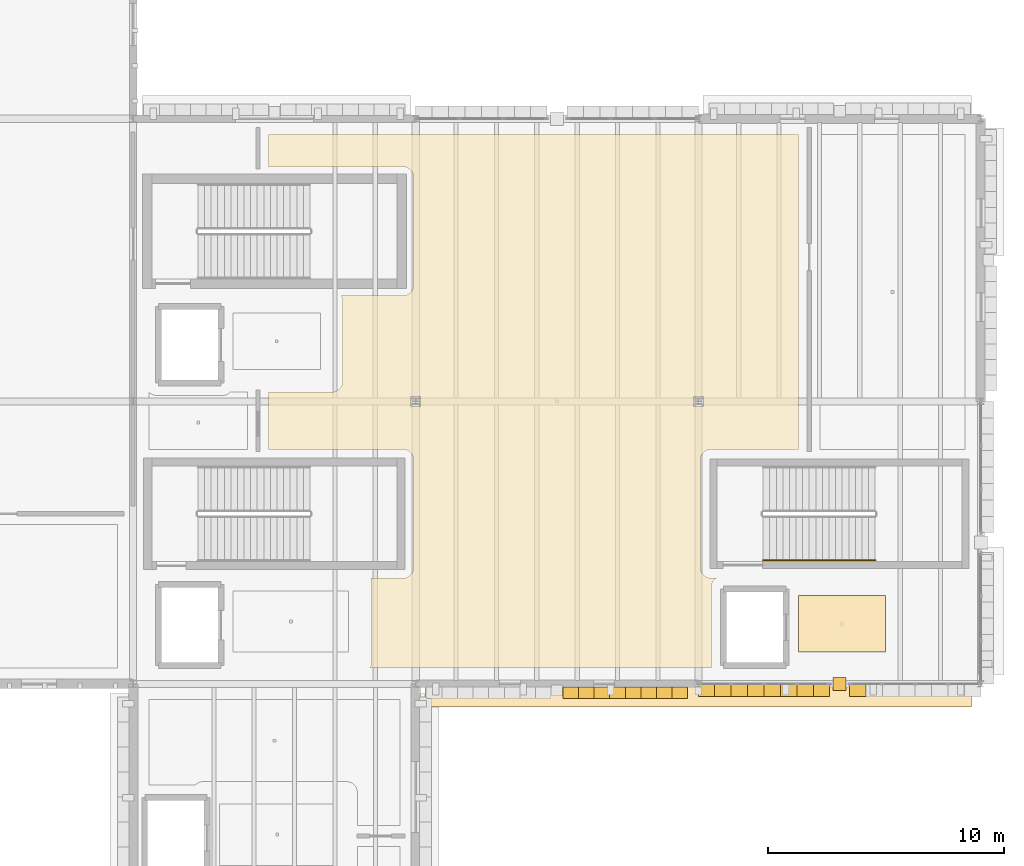
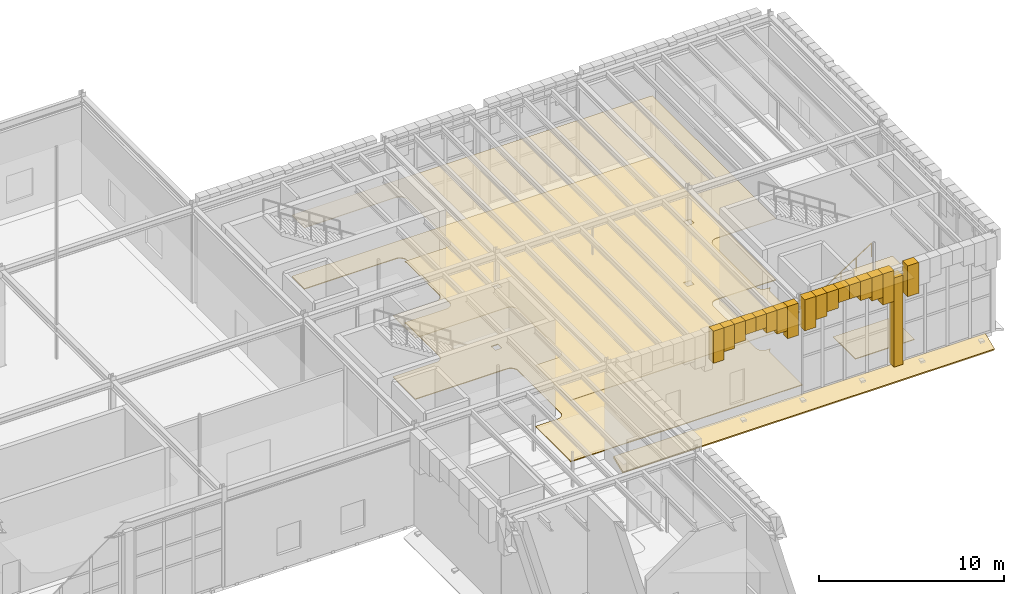
# One storey, part 58 of 62: 23 coverings, 1 railing.
"""IFC4 building model written with IfcOpenShell, lengths in metres."""

from ifc_helpers import new_model, si_unit, direction, frame, origin, origin_2d, place, context, subcontext, project, spatial, polyline, circle, outline, extrude, material, layer, layer_set, type_object, element, save


model = new_model("IFC4")

# Units and contexts
model_context = context("Model", 3, precision=1e-05, world=origin(), true_north=direction((0.0, 1.0)))
body_context = subcontext(model_context, "Body", "Model", "MODEL_VIEW")
ifc_project = project(units=[si_unit("LENGTHUNIT", "METRE"), si_unit("AREAUNIT", "SQUARE_METRE"), si_unit("VOLUMEUNIT", "CUBIC_METRE"), si_unit("PLANEANGLEUNIT", "RADIAN"), si_unit("MASSUNIT", "GRAM", prefix="KILO")], contexts=[model_context])

# Site, building, storey
site_placement = place(None, origin())
site = spatial("IfcSite", under=ifc_project, at=site_placement, CompositionType="ELEMENT")
building_placement = place(site_placement, origin())
building = spatial("IfcBuilding", under=site, at=building_placement, Name="Zlatogorsky Bluff Art Gallery", CompositionType="ELEMENT")
storey_placement = place(building_placement, frame((0.0, 0.0, 16.800048828125)))
storey = spatial("IfcBuildingStorey", under=building, at=storey_placement, Name="L03", CompositionType="ELEMENT", Elevation=16.800048828125)

# Coverings
ifc_material_1 = material(Name="Perforated Gypsum Acoustic Board", Category="gypsum")
ifc_layer_1 = layer(ifc_material_1, 0.0400390625)
ifc_layer_set_1 = layer_set([ifc_layer_1], Name="Acoustic Gallery Ceiling CLG-01")
covering_type_1 = type_object("IfcCoveringType", Name="Acoustic Gallery Ceiling CLG-01", PredefinedType="CEILING", material=ifc_layer_set_1)
covering_1_placement = place(storey_placement, frame((0.0, 0.0, 4.050048828125)))
element("IfcCovering", 1, at=covering_1_placement, inside=storey, type_object=covering_type_1, Name="Lift Lobby PL-2 acoustic ceiling", PredefinedType="CEILING", context=body_context, shape_type="SweptSolid", body=[
    extrude(outline(polyline([(151.949951171875, 87.75), (151.949951171875, 85.35009765625), (148.25, 85.35009765625), (148.25, 87.75), (151.949951171875, 87.75)])), origin(), (0.0, 0.0, 1.0), 0.039794921875),
])
covering_2_placement = place(storey_placement, frame((0.0, 0.0, 4.050048828125)))
element("IfcCovering", 2, at=covering_2_placement, inside=storey, type_object=covering_type_1, Name="Curatorial and Registrar Suite acoustic ceiling", PredefinedType="CEILING", context=body_context, shape_type="SweptSolid", body=[
    extrude(outline(polyline([(130.065673828125, 84.677734375), (130.08056640625, 84.719482421875), (130.09130859375, 84.76220703125), (130.097900390625, 84.805908203125), (130.10009765625, 84.85009765625), (130.10009765625, 88.449951171875), (130.097900390625, 88.489990234375), (131.450927734375, 88.489990234375), (131.495361328125, 88.4921875), (131.539306640625, 88.498779296875), (131.540283203125, 88.498779296875), (131.549560546875, 88.5009765625), (131.550537109375, 88.501220703125), (131.59375, 88.512939453125), (131.6357421875, 88.529296875), (131.637451171875, 88.530029296875), (131.673095703125, 88.5478515625), (131.674072265625, 88.54833984375), (131.706298828125, 88.568115234375), (131.73681640625, 88.59033203125), (131.73828125, 88.591552734375), (131.775390625, 88.624755859375), (131.80859375, 88.661865234375), (131.809814453125, 88.663330078125), (131.83203125, 88.693603515625), (131.851806640625, 88.725830078125), (131.852294921875, 88.726806640625), (131.8701171875, 88.762451171875), (131.870361328125, 88.763427734375), (131.870849609375, 88.764404296875), (131.886962890625, 88.80615234375), (131.89892578125, 88.849609375), (131.899169921875, 88.850341796875), (131.901123046875, 88.859619140625), (131.9013671875, 88.860595703125), (131.90771484375, 88.90478515625), (131.909912109375, 88.948974609375), (131.909912109375, 93.5009765625), (131.90771484375, 93.54541015625), (131.9013671875, 93.58935546875), (131.901123046875, 93.59033203125), (131.899169921875, 93.599609375), (131.89892578125, 93.6005859375), (131.886962890625, 93.643798828125), (131.870849609375, 93.685791015625), (131.870361328125, 93.6865234375), (131.8701171875, 93.6875), (131.852294921875, 93.72314453125), (131.851806640625, 93.72412109375), (131.83203125, 93.75634765625), (131.809814453125, 93.78662109375), (131.80859375, 93.7880859375), (131.775390625, 93.8251953125), (131.73828125, 93.8583984375), (131.73681640625, 93.859619140625), (131.706298828125, 93.882080078125), (131.674072265625, 93.901611328125), (131.673095703125, 93.902099609375), (131.637451171875, 93.919921875), (131.63671875, 93.92041015625), (131.6357421875, 93.9208984375), (131.59375, 93.93701171875), (131.550537109375, 93.948974609375), (131.549560546875, 93.94921875), (131.540283203125, 93.951171875), (131.539306640625, 93.951416015625), (131.495361328125, 93.957763671875), (131.450927734375, 93.9599609375), (125.7548828125, 93.9599609375), (125.7548828125, 96.39990234375), (128.449951171875, 96.39990234375), (128.494140625, 96.402099609375), (128.537841796875, 96.40869140625), (128.58056640625, 96.41943359375), (128.622314453125, 96.434326171875), (128.662109375, 96.453125), (128.699951171875, 96.475830078125), (128.735595703125, 96.502197265625), (128.768310546875, 96.53173828125), (128.7978515625, 96.564453125), (128.82421875, 96.60009765625), (128.846923828125, 96.637939453125), (128.86572265625, 96.677734375), (128.880615234375, 96.719482421875), (128.891357421875, 96.76220703125), (128.897705078125, 96.805908203125), (128.89990234375, 96.85009765625), (128.89990234375, 100.25), (128.897705078125, 100.294189453125), (128.891357421875, 100.337890625), (128.880615234375, 100.380615234375), (128.86572265625, 100.422119140625), (128.846923828125, 100.462158203125), (128.830078125, 100.489990234375), (131.450927734375, 100.489990234375), (131.495361328125, 100.4921875), (131.539306640625, 100.498779296875), (131.540283203125, 100.498779296875), (131.549560546875, 100.5009765625), (131.550537109375, 100.501220703125), (131.59375, 100.512939453125), (131.6357421875, 100.529296875), (131.637451171875, 100.530029296875), (131.673095703125, 100.5478515625), (131.674072265625, 100.54833984375), (131.706298828125, 100.568115234375), (131.73681640625, 100.59033203125), (131.73828125, 100.591552734375), (131.775390625, 100.624755859375), (131.80859375, 100.661865234375), (131.809814453125, 100.663330078125), (131.83203125, 100.693603515625), (131.851806640625, 100.725830078125), (131.852294921875, 100.726806640625), (131.8701171875, 100.762451171875), (131.870361328125, 100.763427734375), (131.870849609375, 100.764404296875), (131.886962890625, 100.80615234375), (131.89892578125, 100.849609375), (131.899169921875, 100.850341796875), (131.901123046875, 100.859619140625), (131.9013671875, 100.860595703125), (131.90771484375, 100.90478515625), (131.909912109375, 100.948974609375), (131.909912109375, 105.5009765625), (131.90771484375, 105.54541015625), (131.9013671875, 105.58935546875), (131.901123046875, 105.59033203125), (131.899169921875, 105.599609375), (131.89892578125, 105.6005859375), (131.886962890625, 105.643798828125), (131.870849609375, 105.685791015625), (131.870361328125, 105.6865234375), (131.8701171875, 105.6875), (131.852294921875, 105.72314453125), (131.851806640625, 105.72412109375), (131.83203125, 105.75634765625), (131.809814453125, 105.78662109375), (131.80859375, 105.7880859375), (131.775390625, 105.8251953125), (131.73828125, 105.8583984375), (131.73681640625, 105.859619140625), (131.706298828125, 105.882080078125), (131.674072265625, 105.901611328125), (131.673095703125, 105.902099609375), (131.637451171875, 105.919921875), (131.63671875, 105.92041015625), (131.6357421875, 105.9208984375), (131.59375, 105.93701171875), (131.550537109375, 105.948974609375), (131.549560546875, 105.94921875), (131.540283203125, 105.951171875), (131.539306640625, 105.951416015625), (131.495361328125, 105.957763671875), (131.450927734375, 105.9599609375), (125.7548828125, 105.9599609375), (125.7548828125, 107.330078125), (148.2607421875, 107.330078125), (148.2607421875, 93.9599609375), (144.549072265625, 93.9599609375), (144.504638671875, 93.957763671875), (144.460693359375, 93.951416015625), (144.459716796875, 93.951171875), (144.450439453125, 93.94921875), (144.449462890625, 93.948974609375), (144.40625, 93.93701171875), (144.3642578125, 93.9208984375), (144.36328125, 93.92041015625), (144.362548828125, 93.919921875), (144.326904296875, 93.902099609375), (144.325927734375, 93.901611328125), (144.293701171875, 93.882080078125), (144.26318359375, 93.859619140625), (144.26171875, 93.8583984375), (144.224609375, 93.8251953125), (144.19140625, 93.7880859375), (144.190185546875, 93.78662109375), (144.16796875, 93.75634765625), (144.148193359375, 93.72412109375), (144.147705078125, 93.72314453125), (144.1298828125, 93.6875), (144.129638671875, 93.6865234375), (144.129150390625, 93.685791015625), (144.113037109375, 93.643798828125), (144.10107421875, 93.6005859375), (144.100830078125, 93.599609375), (144.098876953125, 93.59033203125), (144.0986328125, 93.58935546875), (144.09228515625, 93.54541015625), (144.090087890625, 93.5009765625), (144.090087890625, 88.948974609375), (144.09228515625, 88.90478515625), (144.0986328125, 88.860595703125), (144.098876953125, 88.859619140625), (144.100830078125, 88.850341796875), (144.10107421875, 88.849609375), (144.113037109375, 88.80615234375), (144.129150390625, 88.764404296875), (144.129638671875, 88.763427734375), (144.1298828125, 88.762451171875), (144.147705078125, 88.726806640625), (144.148193359375, 88.725830078125), (144.16796875, 88.693603515625), (144.190185546875, 88.663330078125), (144.19140625, 88.661865234375), (144.224609375, 88.624755859375), (144.26171875, 88.591552734375), (144.26318359375, 88.59033203125), (144.293701171875, 88.568115234375), (144.325927734375, 88.54833984375), (144.326904296875, 88.5478515625), (144.362548828125, 88.530029296875), (144.3642578125, 88.529296875), (144.40625, 88.512939453125), (144.449462890625, 88.501220703125), (144.450439453125, 88.5009765625), (144.459716796875, 88.498779296875), (144.460693359375, 88.498779296875), (144.504638671875, 88.4921875), (144.549072265625, 88.489990234375), (144.7763671875, 88.489990234375), (144.75, 88.47412109375), (144.714599609375, 88.447998046875), (144.681884765625, 88.418212890625), (144.652099609375, 88.385498046875), (144.625732421875, 88.35009765625), (144.60302734375, 88.31201171875), (144.584228515625, 88.272216796875), (144.5693359375, 88.230712890625), (144.55859375, 88.187744140625), (144.55224609375, 88.14404296875), (144.550048828125, 88.10009765625), (144.550048828125, 84.699951171875), (144.551513671875, 84.669921875), (130.06201171875, 84.669921875), (130.065673828125, 84.677734375)]), holes=[polyline([(131.7900390625, 95.7900390625), (132.2099609375, 95.7900390625), (132.2099609375, 96.2099609375), (131.7900390625, 96.2099609375), (131.7900390625, 95.7900390625)]), polyline([(143.7900390625, 95.7900390625), (144.2099609375, 95.7900390625), (144.2099609375, 96.2099609375), (143.7900390625, 96.2099609375), (143.7900390625, 95.7900390625)])]), origin(), (0.0, 0.0, 1.0), 0.039794921875),
])
ifc_material_2 = material(Name="Honed Red Agra-Tone Quartzitic Sandstone", Category="masonry")
ifc_layer_2 = layer(ifc_material_2, 0.1201171875)
ifc_layer_set_2 = layer_set([ifc_layer_2], Name="Carved Sandstone Cladding CLD-02")
covering_type_2 = type_object("IfcCoveringType", Name="Carved Sandstone Cladding CLD-02", PredefinedType="CLADDING", material=ifc_layer_set_2)
covering_3_placement = place(storey_placement, frame((0.0, 0.0, 4.4423828125)))
element("IfcCovering", 3, at=covering_3_placement, inside=storey, type_object=covering_type_2, Name="Pointed Mughal arch voussoir spandrel WARCH-L03-S-11-08-B.1", PredefinedType="CLADDING", context=body_context, shape_type="SweptSolid", body=[
    extrude(outline(polyline([(138.25, 83.3798828125), (138.91259765625, 83.3798828125), (138.91259765625, 83.8701171875), (138.25, 83.8701171875), (138.25, 83.3798828125)])), origin(), (0.0, 0.0, 1.0), 2.11767578125),
])
covering_4_placement = place(storey_placement, frame((0.0, 0.0, 4.9736328125)))
element("IfcCovering", 4, at=covering_4_placement, inside=storey, type_object=covering_type_2, Name="Pointed Mughal arch voussoir spandrel WARCH-L03-S-11-08-B.2", PredefinedType="CLADDING", context=body_context, shape_type="SweptSolid", body=[
    extrude(outline(polyline([(138.91259765625, 83.3798828125), (139.574951171875, 83.3798828125), (139.574951171875, 83.8701171875), (138.91259765625, 83.8701171875), (138.91259765625, 83.3798828125)])), origin(), (0.0, 0.0, 1.0), 1.58642578125),
])
covering_5_placement = place(storey_placement, frame((0.0, 0.0, 5.2666015625)))
element("IfcCovering", 5, at=covering_5_placement, inside=storey, type_object=covering_type_2, Name="Pointed Mughal arch voussoir spandrel WARCH-L03-S-11-08-B.3", PredefinedType="CLADDING", context=body_context, shape_type="SweptSolid", body=[
    extrude(outline(polyline([(139.574951171875, 83.3798828125), (140.237548828125, 83.3798828125), (140.237548828125, 83.8701171875), (139.574951171875, 83.8701171875), (139.574951171875, 83.3798828125)])), origin(), (0.0, 0.0, 1.0), 1.29345703125),
])
covering_6_placement = place(storey_placement, frame((0.0, 0.0, 5.63525390625)))
element("IfcCovering", 6, at=covering_6_placement, inside=storey, type_object=covering_type_2, Name="Pointed Mughal arch voussoir spandrel WARCH-L03-S-11-08-B.4", PredefinedType="CLADDING", context=body_context, shape_type="SweptSolid", body=[
    extrude(outline(polyline([(140.237548828125, 83.3798828125), (140.89990234375, 83.3798828125), (140.89990234375, 83.8701171875), (140.237548828125, 83.8701171875), (140.237548828125, 83.3798828125)])), origin(), (0.0, 0.0, 1.0), 0.9248046875),
])
covering_7_placement = place(storey_placement, frame((0.0, 0.0, 5.63525390625)))
element("IfcCovering", 7, at=covering_7_placement, inside=storey, type_object=covering_type_2, Name="Pointed Mughal arch voussoir spandrel WARCH-L03-S-11-08-B.5", PredefinedType="CLADDING", context=body_context, shape_type="SweptSolid", body=[
    extrude(outline(polyline([(140.89990234375, 83.3798828125), (141.5625, 83.3798828125), (141.5625, 83.8701171875), (140.89990234375, 83.8701171875), (140.89990234375, 83.3798828125)])), origin(), (0.0, 0.0, 1.0), 0.9248046875),
])
covering_8_placement = place(storey_placement, frame((0.0, 0.0, 5.2666015625)))
element("IfcCovering", 8, at=covering_8_placement, inside=storey, type_object=covering_type_2, Name="Pointed Mughal arch voussoir spandrel WARCH-L03-S-11-08-B.6", PredefinedType="CLADDING", context=body_context, shape_type="SweptSolid", body=[
    extrude(outline(polyline([(141.5625, 83.3798828125), (142.22509765625, 83.3798828125), (142.22509765625, 83.8701171875), (141.5625, 83.8701171875), (141.5625, 83.3798828125)])), origin(), (0.0, 0.0, 1.0), 1.29345703125),
])
covering_9_placement = place(storey_placement, frame((0.0, 0.0, 4.9736328125)))
element("IfcCovering", 9, at=covering_9_placement, inside=storey, type_object=covering_type_2, Name="Pointed Mughal arch voussoir spandrel WARCH-L03-S-11-08-B.7", PredefinedType="CLADDING", context=body_context, shape_type="SweptSolid", body=[
    extrude(outline(polyline([(142.22509765625, 83.3798828125), (142.887451171875, 83.3798828125), (142.887451171875, 83.8701171875), (142.22509765625, 83.8701171875), (142.22509765625, 83.3798828125)])), origin(), (0.0, 0.0, 1.0), 1.58642578125),
])
covering_10_placement = place(storey_placement, frame((0.0, 0.0, 4.4423828125)))
element("IfcCovering", 10, at=covering_10_placement, inside=storey, type_object=covering_type_2, Name="Pointed Mughal arch voussoir spandrel WARCH-L03-S-11-08-B.8", PredefinedType="CLADDING", context=body_context, shape_type="SweptSolid", body=[
    extrude(outline(polyline([(142.887451171875, 83.3798828125), (143.550048828125, 83.3798828125), (143.550048828125, 83.8701171875), (142.887451171875, 83.8701171875), (142.887451171875, 83.3798828125)])), origin(), (0.0, 0.0, 1.0), 2.11767578125),
])
covering_11_placement = place(storey_placement, frame((0.0, 0.0, -0.030029296875)))
element("IfcCovering", 11, at=covering_11_placement, inside=storey, type_object=covering_type_2, Name="Mughal dalan central sandstone pier L03 S 12.8", PredefinedType="CLADDING", context=body_context, shape_type="SweptSolid", body=[
    extrude(outline(polyline([(149.719970703125, 83.719970703125), (150.280029296875, 83.719970703125), (150.280029296875, 84.280029296875), (149.719970703125, 84.280029296875), (149.719970703125, 83.719970703125)])), origin(), (0.0, 0.0, 1.0), 5.8798828125),
])
covering_12_placement = place(storey_placement, frame((0.0, 0.0, 4.517822265625)))
element("IfcCovering", 12, at=covering_12_placement, inside=storey, type_object=covering_type_2, Name="Pointed Mughal arch voussoir spandrel ARCH-CW-L03-S-12-08-A.1", PredefinedType="CLADDING", context=body_context, shape_type="SweptSolid", body=[
    extrude(outline(polyline([(144.0, 83.4599609375), (144.697509765625, 83.4599609375), (144.697509765625, 84.030029296875), (144.0, 84.030029296875), (144.0, 83.4599609375)])), origin(), (0.0, 0.0, 1.0), 2.042236328125),
])
covering_13_placement = place(storey_placement, frame((0.0, 0.0, 5.01953125)))
element("IfcCovering", 13, at=covering_13_placement, inside=storey, type_object=covering_type_2, Name="Pointed Mughal arch voussoir spandrel ARCH-CW-L03-S-12-08-A.2", PredefinedType="CLADDING", context=body_context, shape_type="SweptSolid", body=[
    extrude(outline(polyline([(144.697509765625, 83.4599609375), (145.39501953125, 83.4599609375), (145.39501953125, 84.030029296875), (144.697509765625, 84.030029296875), (144.697509765625, 83.4599609375)])), origin(), (0.0, 0.0, 1.0), 1.54052734375),
])
covering_14_placement = place(storey_placement, frame((0.0, 0.0, 5.29638671875)))
element("IfcCovering", 14, at=covering_14_placement, inside=storey, type_object=covering_type_2, Name="Pointed Mughal arch voussoir spandrel ARCH-CW-L03-S-12-08-A.3", PredefinedType="CLADDING", context=body_context, shape_type="SweptSolid", body=[
    extrude(outline(polyline([(145.39501953125, 83.4599609375), (146.092529296875, 83.4599609375), (146.092529296875, 84.030029296875), (145.39501953125, 84.030029296875), (145.39501953125, 83.4599609375)])), origin(), (0.0, 0.0, 1.0), 1.263671875),
])
covering_15_placement = place(storey_placement, frame((0.0, 0.0, 5.64453125)))
element("IfcCovering", 15, at=covering_15_placement, inside=storey, type_object=covering_type_2, Name="Pointed Mughal arch voussoir spandrel ARCH-CW-L03-S-12-08-A.4", PredefinedType="CLADDING", context=body_context, shape_type="SweptSolid", body=[
    extrude(outline(polyline([(146.092529296875, 83.4599609375), (146.7900390625, 83.4599609375), (146.7900390625, 84.030029296875), (146.092529296875, 84.030029296875), (146.092529296875, 83.4599609375)])), origin(), (0.0, 0.0, 1.0), 0.91552734375),
])
covering_16_placement = place(storey_placement, frame((0.0, 0.0, 5.64453125)))
element("IfcCovering", 16, at=covering_16_placement, inside=storey, type_object=covering_type_2, Name="Pointed Mughal arch voussoir spandrel ARCH-CW-L03-S-12-08-A.5", PredefinedType="CLADDING", context=body_context, shape_type="SweptSolid", body=[
    extrude(outline(polyline([(146.7900390625, 83.4599609375), (147.487548828125, 83.4599609375), (147.487548828125, 84.030029296875), (146.7900390625, 84.030029296875), (146.7900390625, 83.4599609375)])), origin(), (0.0, 0.0, 1.0), 0.91552734375),
])
covering_17_placement = place(storey_placement, frame((0.0, 0.0, 5.29638671875)))
element("IfcCovering", 17, at=covering_17_placement, inside=storey, type_object=covering_type_2, Name="Pointed Mughal arch voussoir spandrel ARCH-CW-L03-S-12-08-A.6", PredefinedType="CLADDING", context=body_context, shape_type="SweptSolid", body=[
    extrude(outline(polyline([(147.487548828125, 83.4599609375), (148.18505859375, 83.4599609375), (148.18505859375, 84.030029296875), (147.487548828125, 84.030029296875), (147.487548828125, 83.4599609375)])), origin(), (0.0, 0.0, 1.0), 1.263671875),
])
covering_18_placement = place(storey_placement, frame((0.0, 0.0, 5.01953125)))
element("IfcCovering", 18, at=covering_18_placement, inside=storey, type_object=covering_type_2, Name="Pointed Mughal arch voussoir spandrel ARCH-CW-L03-S-12-08-A.7", PredefinedType="CLADDING", context=body_context, shape_type="SweptSolid", body=[
    extrude(outline(polyline([(148.18505859375, 83.4599609375), (148.882568359375, 83.4599609375), (148.882568359375, 84.030029296875), (148.18505859375, 84.030029296875), (148.18505859375, 83.4599609375)])), origin(), (0.0, 0.0, 1.0), 1.54052734375),
])
covering_19_placement = place(storey_placement, frame((0.0, 0.0, 4.517822265625)))
element("IfcCovering", 19, at=covering_19_placement, inside=storey, type_object=covering_type_2, Name="Pointed Mughal arch voussoir spandrel ARCH-CW-L03-S-12-08-A.8", PredefinedType="CLADDING", context=body_context, shape_type="SweptSolid", body=[
    extrude(outline(polyline([(148.882568359375, 83.4599609375), (149.580078125, 83.4599609375), (149.580078125, 84.030029296875), (148.882568359375, 84.030029296875), (148.882568359375, 83.4599609375)])), origin(), (0.0, 0.0, 1.0), 2.042236328125),
])
covering_20_placement = place(storey_placement, frame((0.0, 0.0, 4.517822265625)))
element("IfcCovering", 20, at=covering_20_placement, inside=storey, type_object=covering_type_2, Name="Pointed Mughal arch voussoir spandrel ARCH-CW-L03-S-12-08-B.1", PredefinedType="CLADDING", context=body_context, shape_type="SweptSolid", body=[
    extrude(outline(polyline([(150.419921875, 83.4599609375), (151.117431640625, 83.4599609375), (151.117431640625, 84.030029296875), (150.419921875, 84.030029296875), (150.419921875, 83.4599609375)])), origin(), (0.0, 0.0, 1.0), 2.042236328125),
])
covering_21_placement = place(storey_placement, frame((155.60009765625, 84.0400390625, -0.0400390625), z_axis=(0.0, -0.380683013172, 0.924705598276), x_axis=(-1.0, 0.0, 0.0)))
element("IfcCovering", 21, at=covering_21_placement, inside=storey, type_object=covering_type_2, Name="Projecting sloped Mughal chhajja stone eave CHJ-NE-S-L03", PredefinedType="CLADDING", context=body_context, shape_type="SweptSolid", body=[
    extrude(outline(polyline([(0.0, 0.0), (23.2001953125, 0.0), (23.2001953125, 1.1030748955691927), (0.0, 1.1030748955691927), (0.0, 0.0)])), origin(), (0.0, 0.0, -1.0), 0.139892578125),
])

# Railing
ifc_material_3 = material(Name="Brushed Stainless Steel", Category="steel")
railing_type = type_object("IfcRailingType", Name="Stair Pitch Handrail 900mm", PredefinedType="HANDRAIL", material=ifc_material_3)
railing_placement = place(storey_placement, frame((146.75, 89.25, 0.183349609375)))
element("IfcRailing", 22, at=railing_placement, inside=storey, type_object=railing_type, Name="L03 ST-04 stair handrail 1", PredefinedType="HANDRAIL", context=body_context, shape_type="SweptSolid", body=[
    extrude(circle(Radius=0.02392578125, at=origin_2d()), frame((0.0, 0.0, 0.8759765625), z_axis=(0.836616421643, 0.0, 0.547789159291), x_axis=(0.0, 1.0, 0.0)), (0.0, 0.0, 1.0), 5.689697265625),
    extrude(circle(Radius=0.02099609375, at=origin_2d()), origin(), (0.0, 0.0, 1.0), 0.851806640625),
    extrude(circle(Radius=0.02099609375, at=origin_2d()), frame((0.951904296875, 0.0, 0.623291015625)), (0.0, 0.0, 1.0), 0.851806640625),
    extrude(circle(Radius=0.02099609375, at=origin_2d()), frame((1.904052734375, 0.0, 1.24658203125)), (0.0, 0.0, 1.0), 0.851806640625),
    extrude(circle(Radius=0.02099609375, at=origin_2d()), frame((2.85595703125, 0.0, 1.8701171875)), (0.0, 0.0, 1.0), 0.851806640625),
    extrude(circle(Radius=0.02099609375, at=origin_2d()), frame((3.80810546875, 0.0, 2.493408203125)), (0.0, 0.0, 1.0), 0.851806640625),
    extrude(circle(Radius=0.02099609375, at=origin_2d()), frame((4.760009765625, 0.0, 3.11669921875)), (0.0, 0.0, 1.0), 0.851806640625),
])

# Coverings
ifc_material_4 = material(Name="Polished Ural Marble Terrazzo", Category="masonry")
ifc_layer_3 = layer(ifc_material_4, 0.050048828125)
ifc_layer_set_3 = layer_set([ifc_layer_3], Name="Terrazzo Gallery Flooring FLR-01")
covering_type_3 = type_object("IfcCoveringType", Name="Terrazzo Gallery Flooring FLR-01", PredefinedType="FLOORING", material=ifc_layer_set_3)
covering_22_placement = place(storey_placement, origin())
element("IfcCovering", 23, at=covering_22_placement, inside=storey, type_object=covering_type_3, Name="Lift Lobby PL-2 terrazzo floor finish", PredefinedType="FLOORING", context=body_context, shape_type="SweptSolid", body=[
    extrude(outline(polyline([(151.949951171875, 87.75), (151.949951171875, 85.35009765625), (148.25, 85.35009765625), (148.25, 87.75), (151.949951171875, 87.75)])), origin(), (0.0, 0.0, 1.0), 0.050048828125),
])
covering_23_placement = place(storey_placement, origin())
element("IfcCovering", 24, at=covering_23_placement, inside=storey, type_object=covering_type_3, Name="Curatorial and Registrar Suite terrazzo floor finish", PredefinedType="FLOORING", context=body_context, shape_type="SweptSolid", body=[
    extrude(outline(polyline([(130.065673828125, 84.677734375), (130.08056640625, 84.719482421875), (130.09130859375, 84.76220703125), (130.097900390625, 84.805908203125), (130.10009765625, 84.85009765625), (130.10009765625, 88.449951171875), (130.097900390625, 88.489990234375), (131.450927734375, 88.489990234375), (131.495361328125, 88.4921875), (131.539306640625, 88.498779296875), (131.540283203125, 88.498779296875), (131.549560546875, 88.5009765625), (131.550537109375, 88.501220703125), (131.59375, 88.512939453125), (131.6357421875, 88.529296875), (131.637451171875, 88.530029296875), (131.673095703125, 88.5478515625), (131.674072265625, 88.54833984375), (131.706298828125, 88.568115234375), (131.73681640625, 88.59033203125), (131.73828125, 88.591552734375), (131.775390625, 88.624755859375), (131.80859375, 88.661865234375), (131.809814453125, 88.663330078125), (131.83203125, 88.693603515625), (131.851806640625, 88.725830078125), (131.852294921875, 88.726806640625), (131.8701171875, 88.762451171875), (131.870361328125, 88.763427734375), (131.870849609375, 88.764404296875), (131.886962890625, 88.80615234375), (131.89892578125, 88.849609375), (131.899169921875, 88.850341796875), (131.901123046875, 88.859619140625), (131.9013671875, 88.860595703125), (131.90771484375, 88.90478515625), (131.909912109375, 88.948974609375), (131.909912109375, 93.5009765625), (131.90771484375, 93.54541015625), (131.9013671875, 93.58935546875), (131.901123046875, 93.59033203125), (131.899169921875, 93.599609375), (131.89892578125, 93.6005859375), (131.886962890625, 93.643798828125), (131.870849609375, 93.685791015625), (131.870361328125, 93.6865234375), (131.8701171875, 93.6875), (131.852294921875, 93.72314453125), (131.851806640625, 93.72412109375), (131.83203125, 93.75634765625), (131.809814453125, 93.78662109375), (131.80859375, 93.7880859375), (131.775390625, 93.8251953125), (131.73828125, 93.8583984375), (131.73681640625, 93.859619140625), (131.706298828125, 93.882080078125), (131.674072265625, 93.901611328125), (131.673095703125, 93.902099609375), (131.637451171875, 93.919921875), (131.63671875, 93.92041015625), (131.6357421875, 93.9208984375), (131.59375, 93.93701171875), (131.550537109375, 93.948974609375), (131.549560546875, 93.94921875), (131.540283203125, 93.951171875), (131.539306640625, 93.951416015625), (131.495361328125, 93.957763671875), (131.450927734375, 93.9599609375), (125.7548828125, 93.9599609375), (125.7548828125, 96.39990234375), (128.449951171875, 96.39990234375), (128.494140625, 96.402099609375), (128.537841796875, 96.40869140625), (128.58056640625, 96.41943359375), (128.622314453125, 96.434326171875), (128.662109375, 96.453125), (128.699951171875, 96.475830078125), (128.735595703125, 96.502197265625), (128.768310546875, 96.53173828125), (128.7978515625, 96.564453125), (128.82421875, 96.60009765625), (128.846923828125, 96.637939453125), (128.86572265625, 96.677734375), (128.880615234375, 96.719482421875), (128.891357421875, 96.76220703125), (128.897705078125, 96.805908203125), (128.89990234375, 96.85009765625), (128.89990234375, 100.25), (128.897705078125, 100.294189453125), (128.891357421875, 100.337890625), (128.880615234375, 100.380615234375), (128.86572265625, 100.422119140625), (128.846923828125, 100.462158203125), (128.830078125, 100.489990234375), (131.450927734375, 100.489990234375), (131.495361328125, 100.4921875), (131.539306640625, 100.498779296875), (131.540283203125, 100.498779296875), (131.549560546875, 100.5009765625), (131.550537109375, 100.501220703125), (131.59375, 100.512939453125), (131.6357421875, 100.529296875), (131.637451171875, 100.530029296875), (131.673095703125, 100.5478515625), (131.674072265625, 100.54833984375), (131.706298828125, 100.568115234375), (131.73681640625, 100.59033203125), (131.73828125, 100.591552734375), (131.775390625, 100.624755859375), (131.80859375, 100.661865234375), (131.809814453125, 100.663330078125), (131.83203125, 100.693603515625), (131.851806640625, 100.725830078125), (131.852294921875, 100.726806640625), (131.8701171875, 100.762451171875), (131.870361328125, 100.763427734375), (131.870849609375, 100.764404296875), (131.886962890625, 100.80615234375), (131.89892578125, 100.849609375), (131.899169921875, 100.850341796875), (131.901123046875, 100.859619140625), (131.9013671875, 100.860595703125), (131.90771484375, 100.90478515625), (131.909912109375, 100.948974609375), (131.909912109375, 105.5009765625), (131.90771484375, 105.54541015625), (131.9013671875, 105.58935546875), (131.901123046875, 105.59033203125), (131.899169921875, 105.599609375), (131.89892578125, 105.6005859375), (131.886962890625, 105.643798828125), (131.870849609375, 105.685791015625), (131.870361328125, 105.6865234375), (131.8701171875, 105.6875), (131.852294921875, 105.72314453125), (131.851806640625, 105.72412109375), (131.83203125, 105.75634765625), (131.809814453125, 105.78662109375), (131.80859375, 105.7880859375), (131.775390625, 105.8251953125), (131.73828125, 105.8583984375), (131.73681640625, 105.859619140625), (131.706298828125, 105.882080078125), (131.674072265625, 105.901611328125), (131.673095703125, 105.902099609375), (131.637451171875, 105.919921875), (131.63671875, 105.92041015625), (131.6357421875, 105.9208984375), (131.59375, 105.93701171875), (131.550537109375, 105.948974609375), (131.549560546875, 105.94921875), (131.540283203125, 105.951171875), (131.539306640625, 105.951416015625), (131.495361328125, 105.957763671875), (131.450927734375, 105.9599609375), (125.7548828125, 105.9599609375), (125.7548828125, 107.330078125), (148.2607421875, 107.330078125), (148.2607421875, 93.9599609375), (144.549072265625, 93.9599609375), (144.504638671875, 93.957763671875), (144.460693359375, 93.951416015625), (144.459716796875, 93.951171875), (144.450439453125, 93.94921875), (144.449462890625, 93.948974609375), (144.40625, 93.93701171875), (144.3642578125, 93.9208984375), (144.36328125, 93.92041015625), (144.362548828125, 93.919921875), (144.326904296875, 93.902099609375), (144.325927734375, 93.901611328125), (144.293701171875, 93.882080078125), (144.26318359375, 93.859619140625), (144.26171875, 93.8583984375), (144.224609375, 93.8251953125), (144.19140625, 93.7880859375), (144.190185546875, 93.78662109375), (144.16796875, 93.75634765625), (144.148193359375, 93.72412109375), (144.147705078125, 93.72314453125), (144.1298828125, 93.6875), (144.129638671875, 93.6865234375), (144.129150390625, 93.685791015625), (144.113037109375, 93.643798828125), (144.10107421875, 93.6005859375), (144.100830078125, 93.599609375), (144.098876953125, 93.59033203125), (144.0986328125, 93.58935546875), (144.09228515625, 93.54541015625), (144.090087890625, 93.5009765625), (144.090087890625, 88.948974609375), (144.09228515625, 88.90478515625), (144.0986328125, 88.860595703125), (144.098876953125, 88.859619140625), (144.100830078125, 88.850341796875), (144.10107421875, 88.849609375), (144.113037109375, 88.80615234375), (144.129150390625, 88.764404296875), (144.129638671875, 88.763427734375), (144.1298828125, 88.762451171875), (144.147705078125, 88.726806640625), (144.148193359375, 88.725830078125), (144.16796875, 88.693603515625), (144.190185546875, 88.663330078125), (144.19140625, 88.661865234375), (144.224609375, 88.624755859375), (144.26171875, 88.591552734375), (144.26318359375, 88.59033203125), (144.293701171875, 88.568115234375), (144.325927734375, 88.54833984375), (144.326904296875, 88.5478515625), (144.362548828125, 88.530029296875), (144.3642578125, 88.529296875), (144.40625, 88.512939453125), (144.449462890625, 88.501220703125), (144.450439453125, 88.5009765625), (144.459716796875, 88.498779296875), (144.460693359375, 88.498779296875), (144.504638671875, 88.4921875), (144.549072265625, 88.489990234375), (144.7763671875, 88.489990234375), (144.75, 88.47412109375), (144.714599609375, 88.447998046875), (144.681884765625, 88.418212890625), (144.652099609375, 88.385498046875), (144.625732421875, 88.35009765625), (144.60302734375, 88.31201171875), (144.584228515625, 88.272216796875), (144.5693359375, 88.230712890625), (144.55859375, 88.187744140625), (144.55224609375, 88.14404296875), (144.550048828125, 88.10009765625), (144.550048828125, 84.699951171875), (144.551513671875, 84.669921875), (130.06201171875, 84.669921875), (130.065673828125, 84.677734375)]), holes=[polyline([(131.7900390625, 95.7900390625), (132.2099609375, 95.7900390625), (132.2099609375, 96.2099609375), (131.7900390625, 96.2099609375), (131.7900390625, 95.7900390625)]), polyline([(143.7900390625, 95.7900390625), (144.2099609375, 95.7900390625), (144.2099609375, 96.2099609375), (143.7900390625, 96.2099609375), (143.7900390625, 95.7900390625)])]), origin(), (0.0, 0.0, 1.0), 0.050048828125),
])

save(model, "model.ifc")
